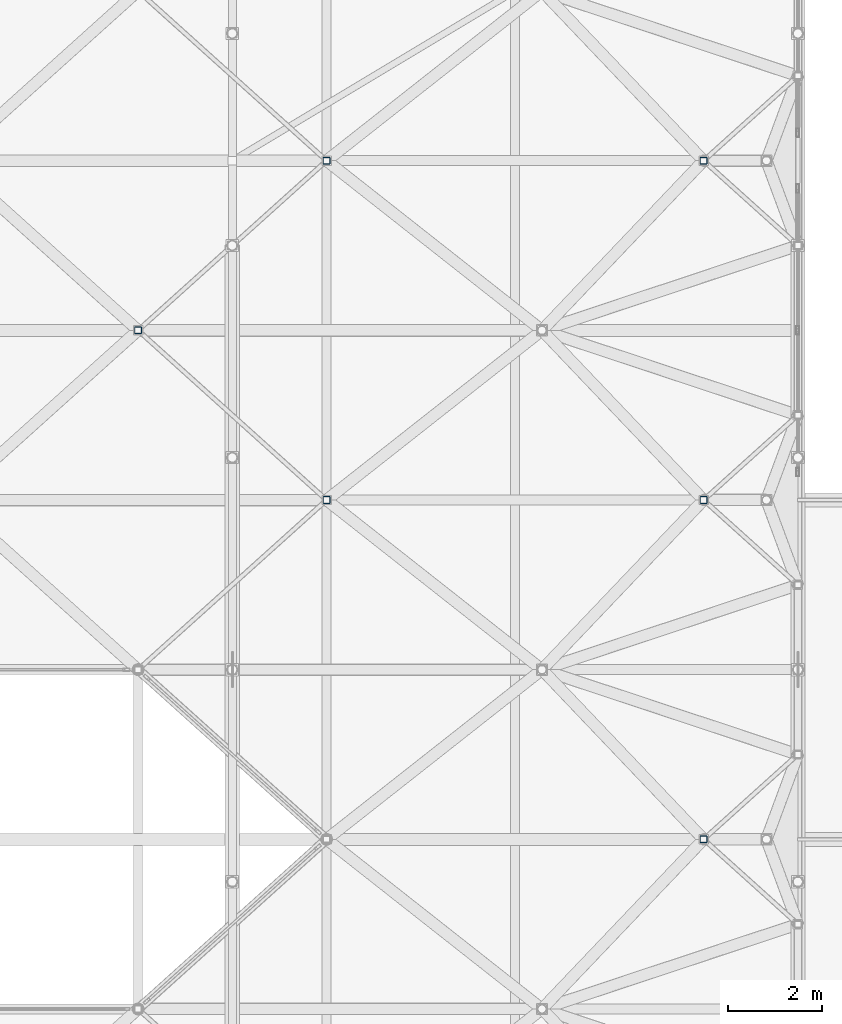
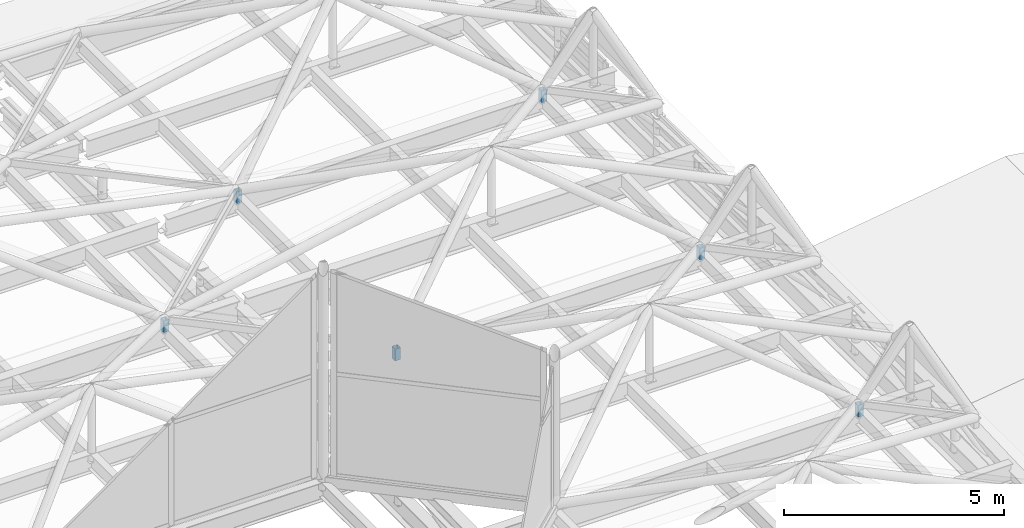
# One storey, part 205 of 239: 6 members.
"""IFC4 building model written with IfcOpenShell, lengths in metres."""

from ifc_helpers import new_model, si_unit, direction, frame, origin, origin_2d, place, context, subcontext, project, spatial, hollow_rectangle, extrude, material, material_profile, profile_set, type_object, element, save


model = new_model("IFC4")

# Units and contexts
model_context = context("Model", 3, precision=1e-05, world=origin(), true_north=direction((0.0, 1.0)))
body_context = subcontext(model_context, "Body", "Model", "MODEL_VIEW")
ifc_project = project(units=[si_unit("LENGTHUNIT", "METRE"), si_unit("AREAUNIT", "SQUARE_METRE"), si_unit("VOLUMEUNIT", "CUBIC_METRE"), si_unit("PLANEANGLEUNIT", "RADIAN"), si_unit("MASSUNIT", "GRAM", prefix="KILO")], contexts=[model_context])

# Site, building, storey
site_placement = place(None, origin())
site = spatial("IfcSite", under=ifc_project, at=site_placement, CompositionType="ELEMENT")
building_placement = place(site_placement, origin())
building = spatial("IfcBuilding", under=site, at=building_placement, Name="Dunvalen Ferry Terminal", CompositionType="ELEMENT")
storey_placement = place(building_placement, frame((0.0, 0.0, 9.840087890625)))
storey = spatial("IfcBuildingStorey", under=building, at=storey_placement, Name="L02", CompositionType="ELEMENT", Elevation=9.840087890625)

# Members
ifc_material = material(Name="Steel S355", Category="steel")
ifc_material_profile = material_profile(ifc_material, hollow_rectangle(XDim=0.14990234375, YDim=0.14990234375, WallThickness=0.008056640625, InnerFilletRadius=0.008056640625, OuterFilletRadius=0.01611328125, at=origin_2d()), Name="Steel S355")
ifc_profile_set = profile_set([ifc_material_profile], Name="Steel S355")
member_type = type_object("IfcMemberType", Name="STR-MB-SHS150", PredefinedType="BRACE", material=ifc_profile_set)
for number, where, z_axis, x_axis, name in (
    (1, (86.0, 72.0, 0.77001953125), (0.0, 0.0, 1.0), (1.0, 0.0, 0.0), "HEX-37 Rim Pedestal Strut 4"),
    (2, (82.0, 75.60009765625, 0.77001953125), (0.0, 0.0, 1.0), (1.0, 0.0, 0.0), "HEX-37 Rim Pedestal Strut 5"),
    (3, (86.0, 79.199951171875, 0.77001953125), (0.0, 0.0, 1.0), (1.0, 0.0, 0.0), "HEX-38 Rim Pedestal Strut 4"),
    (4, (94.0, 64.800048828125, 0.77001953125), (0.0, 0.0, 1.0), (1.0, 0.0, 0.0), "HEX-41 Rim Pedestal Strut 6"),
    (5, (94.0, 72.0, 0.77001953125), (0.0, 0.0, 1.0), (1.0, 0.0, 0.0), "HEX-42 Rim Pedestal Strut 6"),
    (6, (94.0, 79.199951171875, 0.77001953125), (0.0, 0.0, 1.0), (1.0, 0.0, 0.0), "HEX-43 Rim Pedestal Strut 6"),
):
    element("IfcMember", number, at=place(storey_placement, frame(where, z_axis=z_axis, x_axis=x_axis)), inside=storey, type_object=member_type, Name=name, PredefinedType="BRACE", context=body_context, shape_type="SweptSolid", body=[
        extrude(hollow_rectangle(XDim=0.14990234375, YDim=0.14990234375, WallThickness=0.008056640625, InnerFilletRadius=0.008056640625, OuterFilletRadius=0.01611328125, at=origin_2d()), origin(), (0.0, 0.0, 1.0), 0.329833984375),
    ])

save(model, "model.ifc")
